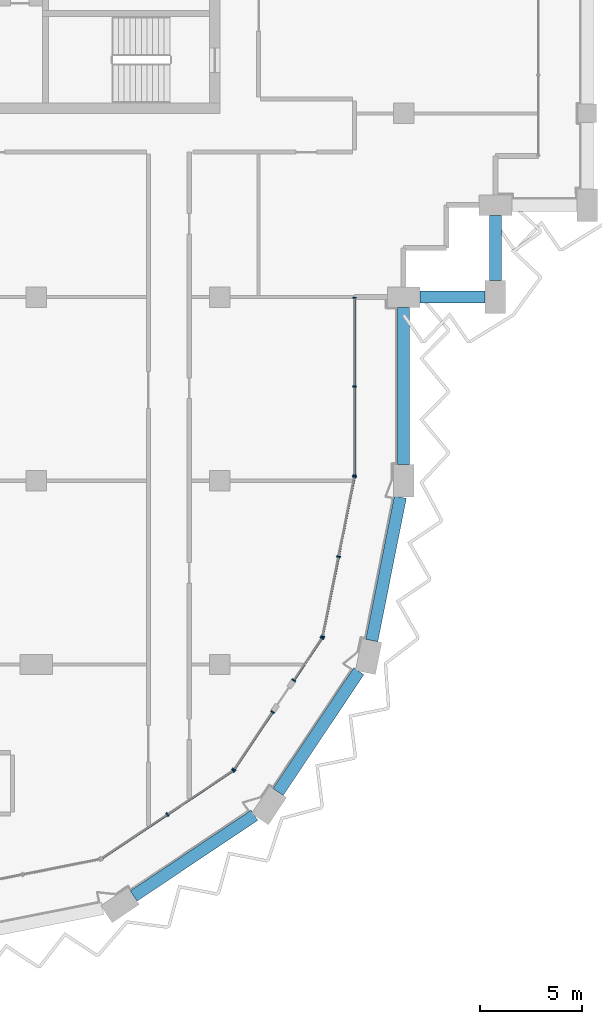
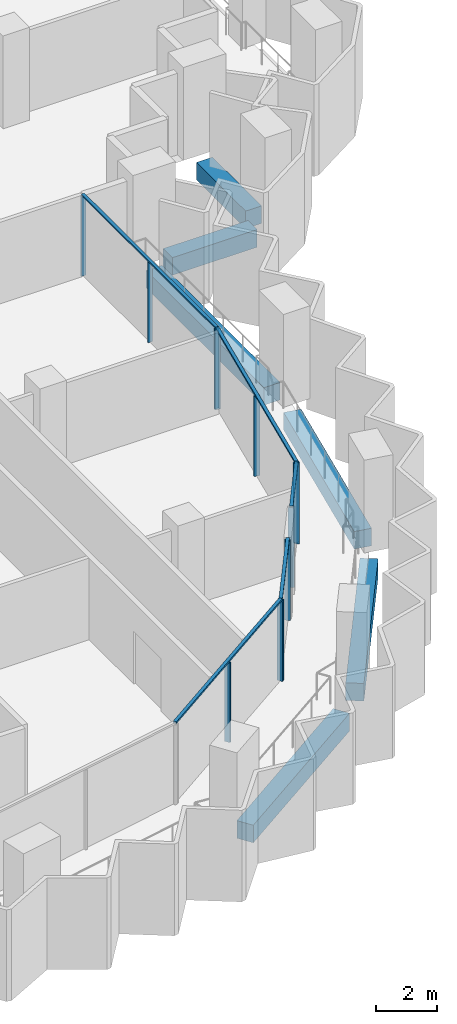
# One storey, part 4 of 17: 17 members, 6 beams, 5 elements without a shape of their own.
"""IFC4 building model written with IfcOpenShell, lengths in metres."""

from ifc_helpers import new_model, si_unit, direction, frame, origin, origin_2d, place, context, subcontext, project, spatial, rectangle, extrude, material, material_profile, profile_set, type_object, element, aggregate, save


model = new_model("IFC4")

# Units and contexts
model_context = context("Model", 3, precision=1e-05, world=origin(), true_north=direction((0.0, 1.0)))
body_context = subcontext(model_context, "Body", "Model", "MODEL_VIEW")
ifc_project = project(units=[si_unit("LENGTHUNIT", "METRE"), si_unit("AREAUNIT", "SQUARE_METRE"), si_unit("VOLUMEUNIT", "CUBIC_METRE"), si_unit("PLANEANGLEUNIT", "RADIAN"), si_unit("MASSUNIT", "GRAM", prefix="KILO")], contexts=[model_context])

# Site, building, storey
site_placement = place(None, origin())
site = spatial("IfcSite", under=ifc_project, at=site_placement, CompositionType="ELEMENT")
building_placement = place(site_placement, origin())
building = spatial("IfcBuilding", under=site, at=building_placement, Name="Hunhe Ridgeline Campus", CompositionType="ELEMENT")
storey_placement = place(building_placement, frame((0.0, 0.0, 272.5)))
storey = spatial("IfcBuildingStorey", under=building, at=storey_placement, Name="L70", CompositionType="ELEMENT", Elevation=272.5)

# Curtain wall, members
ifc_material_1 = material(Name="Aluminium 6063", Category="aluminium")
curtain_wall_type_1 = type_object("IfcCurtainWallType", Name="Curtain wall CW-1", PredefinedType="NOTDEFINED", material=ifc_material_1)
curtain_wall_1_placement = place(storey_placement, origin())
curtain_wall_1 = element("IfcCurtainWall", 1, at=curtain_wall_1_placement, inside=storey, type_object=curtain_wall_type_1, Name="Curtain wall 11", PredefinedType="NOTDEFINED")
ifc_material_profile_1 = material_profile(ifc_material_1, rectangle(XDim=0.159912109375, YDim=0.06005859375, at=origin_2d()))
ifc_profile_set_1 = profile_set([ifc_material_profile_1], Name="Aluminium 6063")
member_type_1 = type_object("IfcMemberType", Name="CW-1 aluminium mullion", PredefinedType="MULLION", material=ifc_profile_set_1)
member_1_placement = place(storey_placement, frame((42.59912109375, 45.266357421875, 0.0), z_axis=(0.0, 0.0, 1.0), x_axis=(-0.999999999814, 1.9283253e-05, 0.0)))
member_1 = element("IfcMember", 2, at=member_1_placement, type_object=member_type_1, Name="CW-1 mullion 1", PredefinedType="MULLION", context=body_context, shape_type="SweptSolid", body=[
    extrude(rectangle(XDim=0.159912109375, YDim=0.06005859375, at=origin_2d()), origin(), (0.0, 0.0, 1.0), 3.18994140625),
])
member_2_placement = place(storey_placement, frame((42.59912109375, 49.618408203125, 0.0), z_axis=(0.0, 0.0, 1.0), x_axis=(-0.999999999814, 1.9283253e-05, 0.0)))
member_2 = element("IfcMember", 3, at=member_2_placement, type_object=member_type_1, Name="CW-1 mullion 2", PredefinedType="MULLION", context=body_context, shape_type="SweptSolid", body=[
    extrude(rectangle(XDim=0.159912109375, YDim=0.06005859375, at=origin_2d()), origin(), (0.0, 0.0, 1.0), 3.18994140625),
])
member_3_placement = place(storey_placement, frame((42.59912109375, 53.970458984375, 0.0), z_axis=(0.0, 0.0, 1.0), x_axis=(-0.999999999814, 1.9283253e-05, 0.0)))
member_3 = element("IfcMember", 4, at=member_3_placement, type_object=member_type_1, Name="CW-1 mullion 3", PredefinedType="MULLION", context=body_context, shape_type="SweptSolid", body=[
    extrude(rectangle(XDim=0.159912109375, YDim=0.06005859375, at=origin_2d()), origin(), (0.0, 0.0, 1.0), 3.18994140625),
])
ifc_material_profile_2 = material_profile(ifc_material_1, rectangle(XDim=0.1201171875, YDim=0.06005859375, at=origin_2d()))
ifc_profile_set_2 = profile_set([ifc_material_profile_2], Name="Aluminium 6063")
member_type_2 = type_object("IfcMemberType", Name="CW-1 aluminium transom", PredefinedType="USERDEFINED", material=ifc_profile_set_2)
member_4_placement = place(storey_placement, frame((42.59912109375, 45.236572265625, 3.219970703125), z_axis=(0.0, 1.0, 0.0), x_axis=(-1.0, 0.0, 0.0)))
member_4 = element("IfcMember", 5, at=member_4_placement, type_object=member_type_2, Name="CW-1 transom 1", ObjectType="TRANSOM", PredefinedType="USERDEFINED", context=body_context, shape_type="SweptSolid", body=[
    extrude(rectangle(XDim=0.1201171875, YDim=0.06005859375, at=origin_2d()), origin(), (0.0, 0.0, 1.0), 8.763916015625),
])
aggregate(curtain_wall_1, [member_4, member_1, member_2, member_3])

curtain_wall_type_2 = type_object("IfcCurtainWallType", Name="Curtain wall CW-5", PredefinedType="NOTDEFINED", material=ifc_material_1)
curtain_wall_2_placement = place(storey_placement, origin())
curtain_wall_2 = element("IfcCurtainWall", 6, at=curtain_wall_2_placement, inside=storey, type_object=curtain_wall_type_2, Name="Curtain wall 07", PredefinedType="NOTDEFINED")
ifc_material_profile_3 = material_profile(ifc_material_1, rectangle(XDim=0.199951171875, YDim=0.070068359375, at=origin_2d()))
ifc_profile_set_3 = profile_set([ifc_material_profile_3], Name="Aluminium 6063")
member_type_3 = type_object("IfcMemberType", Name="CW-5 aluminium mullion", PredefinedType="MULLION", material=ifc_profile_set_3)
member_5_placement = place(storey_placement, frame((33.42626953125, 28.647705078125, 0.0), z_axis=(0.0, 0.0, 1.0), x_axis=(-0.555570274596, 0.831469584522, 0.0)))
member_5 = element("IfcMember", 7, at=member_5_placement, type_object=member_type_3, Name="CW-5 mullion 2", PredefinedType="MULLION", context=body_context, shape_type="SweptSolid", body=[
    extrude(rectangle(XDim=0.199951171875, YDim=0.070068359375, at=origin_2d()), origin(), (0.0, 0.0, 1.0), 3.179931640625),
])
member_6_placement = place(storey_placement, frame((36.649658203125, 30.8017578125, 0.0), z_axis=(0.0, 0.0, 1.0), x_axis=(-0.555570274596, 0.831469584522, 0.0)))
member_6 = element("IfcMember", 8, at=member_6_placement, type_object=member_type_3, Name="CW-5 mullion 3", PredefinedType="MULLION", context=body_context, shape_type="SweptSolid", body=[
    extrude(rectangle(XDim=0.199951171875, YDim=0.070068359375, at=origin_2d()), origin(), (0.0, 0.0, 1.0), 3.179931640625),
])

curtain_wall_3_placement = place(storey_placement, origin())
curtain_wall_3 = element("IfcCurtainWall", 9, at=curtain_wall_3_placement, inside=storey, type_object=curtain_wall_type_2, Name="Curtain wall 08", PredefinedType="NOTDEFINED")
member_7_placement = place(storey_placement, frame((36.6982421875, 30.850341796875, 0.0), z_axis=(0.0, 0.0, 1.0), x_axis=(-0.831469595944, 0.555570257501, 0.0)))
member_7 = element("IfcMember", 10, at=member_7_placement, type_object=member_type_3, Name="CW-5 mullion 1", PredefinedType="MULLION", context=body_context, shape_type="SweptSolid", body=[
    extrude(rectangle(XDim=0.199951171875, YDim=0.070068359375, at=origin_2d()), origin(), (0.0, 0.0, 1.0), 3.179931640625),
])
member_8_placement = place(storey_placement, frame((38.582763671875, 33.67041015625, 0.0), z_axis=(0.0, 0.0, 1.0), x_axis=(-0.831469595944, 0.555570257501, 0.0)))
member_8 = element("IfcMember", 11, at=member_8_placement, type_object=member_type_3, Name="CW-5 mullion 2", PredefinedType="MULLION", context=body_context, shape_type="SweptSolid", body=[
    extrude(rectangle(XDim=0.199951171875, YDim=0.070068359375, at=origin_2d()), origin(), (0.0, 0.0, 1.0), 3.179931640625),
])

curtain_wall_4_placement = place(storey_placement, origin())
curtain_wall_4 = element("IfcCurtainWall", 12, at=curtain_wall_4_placement, inside=storey, type_object=curtain_wall_type_2, Name="Curtain wall 09", PredefinedType="NOTDEFINED")
member_9_placement = place(storey_placement, frame((39.62158203125, 35.225341796875, 0.0), z_axis=(0.0, 0.0, 1.0), x_axis=(-0.831469510353, 0.555570385598, 0.0)))
member_9 = element("IfcMember", 13, at=member_9_placement, type_object=member_type_3, Name="CW-5 mullion 1", PredefinedType="MULLION", context=body_context, shape_type="SweptSolid", body=[
    extrude(rectangle(XDim=0.199951171875, YDim=0.070068359375, at=origin_2d()), origin(), (0.0, 0.0, 1.0), 3.179931640625),
])
member_10_placement = place(storey_placement, frame((41.006103515625, 37.29736328125, 0.0), z_axis=(0.0, 0.0, 1.0), x_axis=(-0.831469510353, 0.555570385598, 0.0)))
member_10 = element("IfcMember", 14, at=member_10_placement, type_object=member_type_3, Name="CW-5 mullion 2", PredefinedType="MULLION", context=body_context, shape_type="SweptSolid", body=[
    extrude(rectangle(XDim=0.199951171875, YDim=0.070068359375, at=origin_2d()), origin(), (0.0, 0.0, 1.0), 3.179931640625),
])

curtain_wall_5_placement = place(storey_placement, origin())
curtain_wall_5 = element("IfcCurtainWall", 15, at=curtain_wall_5_placement, inside=storey, type_object=curtain_wall_type_2, Name="Curtain wall 10", PredefinedType="NOTDEFINED")
member_11_placement = place(storey_placement, frame((41.032470703125, 37.36083984375, 0.0), z_axis=(0.0, 0.0, 1.0), x_axis=(-0.980785284939, 0.195090299215, 0.0)))
member_11 = element("IfcMember", 16, at=member_11_placement, type_object=member_type_3, Name="CW-5 mullion 1", PredefinedType="MULLION", context=body_context, shape_type="SweptSolid", body=[
    extrude(rectangle(XDim=0.199951171875, YDim=0.070068359375, at=origin_2d()), origin(), (0.0, 0.0, 1.0), 3.179931640625),
])
member_12_placement = place(storey_placement, frame((41.812255859375, 41.281494140625, 0.0), z_axis=(0.0, 0.0, 1.0), x_axis=(-0.980785284939, 0.195090299215, 0.0)))
member_12 = element("IfcMember", 17, at=member_12_placement, type_object=member_type_3, Name="CW-5 mullion 2", PredefinedType="MULLION", context=body_context, shape_type="SweptSolid", body=[
    extrude(rectangle(XDim=0.199951171875, YDim=0.070068359375, at=origin_2d()), origin(), (0.0, 0.0, 1.0), 3.179931640625),
])
member_13_placement = place(storey_placement, frame((42.59228515625, 45.2021484375, 0.0), z_axis=(0.0, 0.0, 1.0), x_axis=(-0.980785284939, 0.195090299215, 0.0)))
member_13 = element("IfcMember", 18, at=member_13_placement, type_object=member_type_3, Name="CW-5 mullion 3", PredefinedType="MULLION", context=body_context, shape_type="SweptSolid", body=[
    extrude(rectangle(XDim=0.199951171875, YDim=0.070068359375, at=origin_2d()), origin(), (0.0, 0.0, 1.0), 3.179931640625),
])

# Member
ifc_material_profile_4 = material_profile(ifc_material_1, rectangle(XDim=0.1201171875, YDim=0.070068359375, at=origin_2d()))
ifc_profile_set_4 = profile_set([ifc_material_profile_4], Name="Aluminium 6063")
member_type_4 = type_object("IfcMemberType", Name="CW-5 aluminium transom", PredefinedType="USERDEFINED", material=ifc_profile_set_4)
member_14_placement = place(storey_placement, frame((30.173583984375, 26.474365234375, 3.215087890625), z_axis=(0.831473763475, 0.5555640203, 0.0), x_axis=(-0.5555640203, 0.831473763475, 0.0)))
member_14 = element("IfcMember", 19, at=member_14_placement, type_object=member_type_4, Name="CW-5 transom 1", ObjectType="TRANSOM", PredefinedType="USERDEFINED", context=body_context, shape_type="SweptSolid", body=[
    extrude(rectangle(XDim=0.1201171875, YDim=0.070068359375, at=origin_2d()), origin(), (0.0, 0.0, 1.0), 7.823974609375),
])

aggregate(curtain_wall_2, [member_14, member_5, member_6])

member_15_placement = place(storey_placement, frame((36.678955078125, 30.821044921875, 3.215087890625), z_axis=(0.555546133463, 0.831485714606, 0.0), x_axis=(-0.831485714606, 0.555546133463, 0.0)))
member_15 = element("IfcMember", 20, at=member_15_placement, type_object=member_type_4, Name="CW-5 transom 1", ObjectType="TRANSOM", PredefinedType="USERDEFINED", context=body_context, shape_type="SweptSolid", body=[
    extrude(rectangle(XDim=0.1201171875, YDim=0.070068359375, at=origin_2d()), origin(), (0.0, 0.0, 1.0), 3.462158203125),
])

aggregate(curtain_wall_3, [member_15, member_7, member_8])

member_16_placement = place(storey_placement, frame((39.602294921875, 35.1962890625, 3.215087890625), z_axis=(0.555579547735, 0.831463388334, 0.0), x_axis=(-0.831463388334, 0.555579547735, 0.0)))
member_16 = element("IfcMember", 21, at=member_16_placement, type_object=member_type_4, Name="CW-5 transom 1", ObjectType="TRANSOM", PredefinedType="USERDEFINED", context=body_context, shape_type="SweptSolid", body=[
    extrude(rectangle(XDim=0.1201171875, YDim=0.070068359375, at=origin_2d()), origin(), (0.0, 0.0, 1.0), 2.56201171875),
])

aggregate(curtain_wall_4, [member_16, member_9, member_10])

member_17_placement = place(storey_placement, frame((41.025634765625, 37.326416015625, 3.215087890625), z_axis=(0.195097290093, 0.980783894341, 0.0), x_axis=(-0.980783894341, 0.195097290093, 0.0)))
member_17 = element("IfcMember", 22, at=member_17_placement, type_object=member_type_4, Name="CW-5 transom 1", ObjectType="TRANSOM", PredefinedType="USERDEFINED", context=body_context, shape_type="SweptSolid", body=[
    extrude(rectangle(XDim=0.1201171875, YDim=0.070068359375, at=origin_2d()), origin(), (0.0, 0.0, 1.0), 8.065185546875),
])

aggregate(curtain_wall_5, [member_17, member_11, member_12, member_13])

# Beams
ifc_material_2 = material(Name="Concrete C50", Category="concrete")
ifc_material_profile_5 = material_profile(ifc_material_2, rectangle(XDim=0.60009765625, YDim=0.699951171875, at=origin_2d()))
ifc_profile_set_5 = profile_set([ifc_material_profile_5], Name="Concrete C50")
beam_type = type_object("IfcBeamType", Name="RC spandrel beam 600x700 Concrete C50", PredefinedType="SPANDREL", material=ifc_profile_set_5)
for number, where, z_axis, x_axis, name in (
    (23, (31.775634765625, 24.6572265625, -0.60009765625), (0.831463706344, 0.55557907181, 0.0), (-0.55557907181, 0.831463706344, 0.0), "Spandrel beam B4-6 L70"),
    (24, (38.854248046875, 29.75537109375, -0.60009765625), (0.55557907181, 0.831463706344, 0.0), (-0.831463706344, 0.55557907181, 0.0), "Spandrel beam B4-7 L70"),
):
    element("IfcBeam", number, at=place(storey_placement, frame(where, z_axis=z_axis, x_axis=x_axis)), inside=storey, type_object=beam_type, Name=name, PredefinedType="SPANDREL", context=body_context, shape_type="SweptSolid", body=[
        extrude(rectangle(XDim=0.60009765625, YDim=0.699951171875, at=origin_2d()), origin(), (0.0, 0.0, 1.0), 7.113037109375),
    ])
beam_1_placement = place(storey_placement, frame((43.443359375, 37.17431640625, -0.60009765625), z_axis=(0.195087004291, 0.980785940334, 0.0), x_axis=(-0.980785940334, 0.195087004291, 0.0)))
element("IfcBeam", 25, at=beam_1_placement, inside=storey, type_object=beam_type, Name="Spandrel beam B4-8 L70", PredefinedType="SPANDREL", context=body_context, shape_type="SweptSolid", body=[
    extrude(rectangle(XDim=0.60009765625, YDim=0.699951171875, at=origin_2d()), origin(), (0.0, 0.0, 1.0), 7.163330078125),
])
beam_2_placement = place(storey_placement, frame((45.0, 45.800048828125, -0.60009765625), z_axis=(0.0, 1.0, 0.0), x_axis=(-1.0, 0.0, 0.0)))
element("IfcBeam", 26, at=beam_2_placement, inside=storey, type_object=beam_type, Name="Spandrel beam B4-9 L70", PredefinedType="SPANDREL", context=body_context, shape_type="SweptSolid", body=[
    extrude(rectangle(XDim=0.60009765625, YDim=0.699951171875, at=origin_2d()), origin(), (0.0, 0.0, 1.0), 7.699951171875),
])
for number, where, z_axis, x_axis, name in (
    (27, (45.800048828125, 54.0, -0.60009765625), (1.0, 0.0, 0.0), (0.0, 1.0, 0.0), "Spandrel beam B4-10 L70"),
    (28, (49.5, 54.800048828125, -0.60009765625), (0.0, 1.0, 0.0), (-1.0, 0.0, 0.0), "Spandrel beam B4-11 L70"),
):
    element("IfcBeam", number, at=place(storey_placement, frame(where, z_axis=z_axis, x_axis=x_axis)), inside=storey, type_object=beam_type, Name=name, PredefinedType="SPANDREL", context=body_context, shape_type="SweptSolid", body=[
        extrude(rectangle(XDim=0.60009765625, YDim=0.699951171875, at=origin_2d()), origin(), (0.0, 0.0, 1.0), 3.199951171875),
    ])

save(model, "model.ifc")
